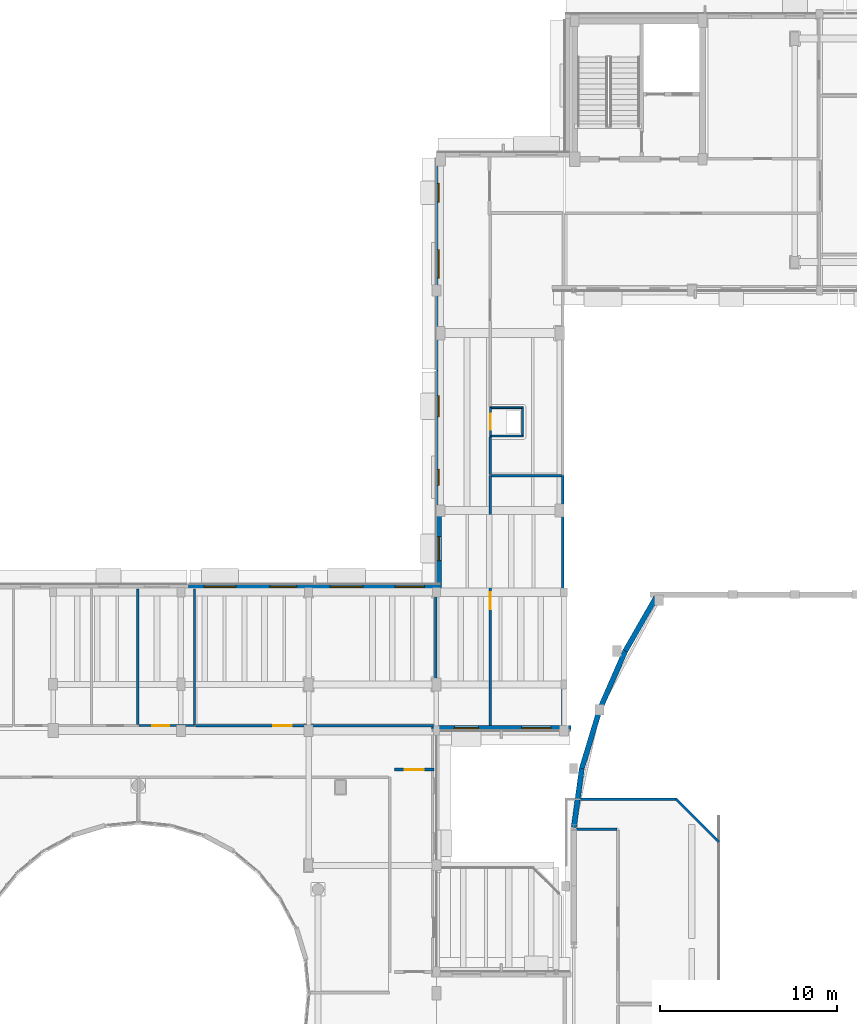
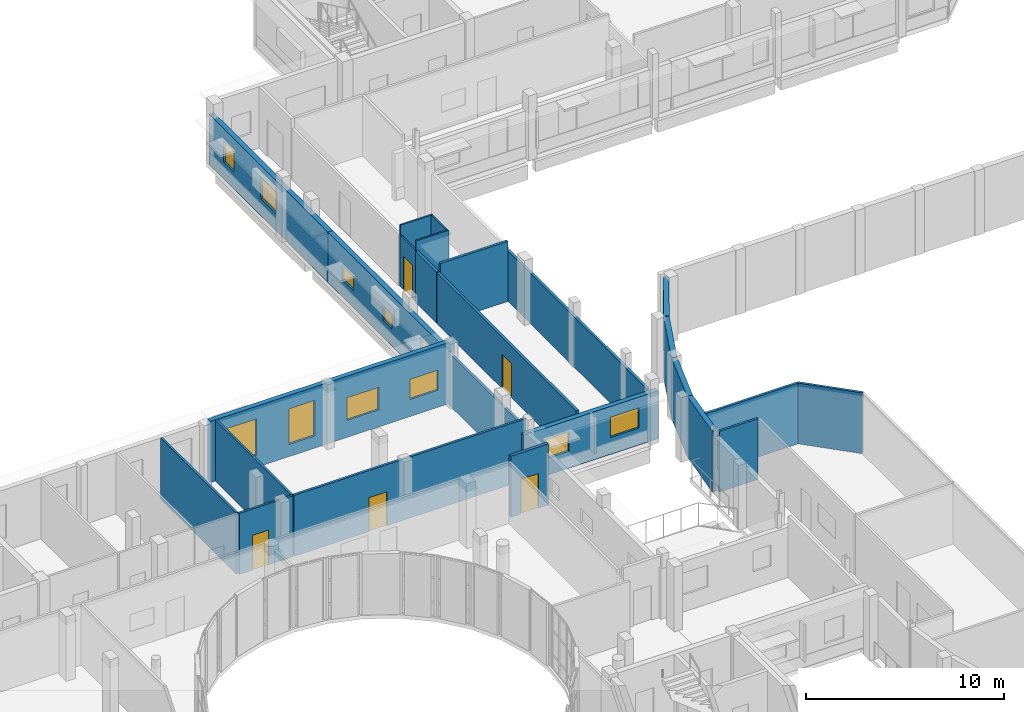
# One storey, part 73 of 92: 25 walls, 11 windows, 5 doors, 16 openings.
"""IFC4 building model written with IfcOpenShell, lengths in metres."""

from ifc_helpers import new_model, si_unit, direction, frame, frame_2d, origin, place, context, subcontext, project, spatial, rectangle, extrude, material, layer, layer_set, type_object, element, fill, save


model = new_model("IFC4")

# Units and contexts
model_context = context("Model", 3, precision=1e-05, world=origin(), true_north=direction((0.0, 1.0)))
body_context = subcontext(model_context, "Body", "Model", "MODEL_VIEW")
ifc_project = project(units=[si_unit("LENGTHUNIT", "METRE"), si_unit("AREAUNIT", "SQUARE_METRE"), si_unit("VOLUMEUNIT", "CUBIC_METRE"), si_unit("PLANEANGLEUNIT", "RADIAN"), si_unit("MASSUNIT", "GRAM", prefix="KILO")], contexts=[model_context])

# Site, building, storey
site_placement = place(None, origin())
site = spatial("IfcSite", under=ifc_project, at=site_placement, CompositionType="ELEMENT")
building_placement = place(site_placement, origin())
building = spatial("IfcBuilding", under=site, at=building_placement, Name="Kelanivale Promenade Academy", CompositionType="ELEMENT")
storey_placement = place(building_placement, frame((0.0, 0.0, 8.199951171875)))
storey = spatial("IfcBuildingStorey", under=building, at=storey_placement, Name="L02", CompositionType="ELEMENT", Elevation=8.199951171875)

# Walls
ifc_material_1 = material(Name="Insulated terracotta-clad masonry wall 300 mm", Category="masonry")
ifc_layer_1 = layer(ifc_material_1, 0.300048828125)
ifc_layer_set_1 = layer_set([ifc_layer_1], Name="Insulated terracotta-clad masonry wall 300 mm")
wall_type_1 = type_object("IfcWallType", Name="EW-01 Wall 300mm", PredefinedType="SOLIDWALL", material=ifc_layer_set_1)
wall_1_placement = place(storey_placement, frame((123.800048828125, 69.45703125, 0.0), z_axis=(0.0, 0.0, 1.0), x_axis=(-0.134539839792, -0.990908185206, 0.0)))
element("IfcWall", 1, at=wall_1_placement, inside=storey, type_object=wall_type_1, Name="Assembly Hall Arc Pavilion inner crescent wall L02", PredefinedType="SOLIDWALL", context=body_context, shape_type="SweptSolid", body=[
    extrude(rectangle(XDim=3.344482421875, YDim=0.300048828125, at=frame_2d((1.67236328125, 0.0))), origin(), (0.0, 0.0, 1.0), 3.7451171875),
])
wall_2_placement = place(storey_placement, frame((124.800048828125, 72.77099609375, 0.0), z_axis=(0.0, 0.0, 1.0), x_axis=(-0.288887509039, -0.957363048755, 0.0)))
element("IfcWall", 2, at=wall_2_placement, inside=storey, type_object=wall_type_1, Name="Assembly Hall Arc Pavilion inner crescent wall L02", PredefinedType="SOLIDWALL", context=body_context, shape_type="SweptSolid", body=[
    extrude(rectangle(XDim=3.461669921875, YDim=0.300048828125, at=frame_2d((1.73095703125, 0.0))), origin(), (0.0, 0.0, 1.0), 3.7451171875),
])
wall_3_placement = place(storey_placement, frame((126.25, 76.0859375, 0.0), z_axis=(0.0, 0.0, 1.0), x_axis=(-0.400740958437, -0.916191401526, 0.0)))
element("IfcWall", 3, at=wall_3_placement, inside=storey, type_object=wall_type_1, Name="Assembly Hall Arc Pavilion inner crescent wall L02", PredefinedType="SOLIDWALL", context=body_context, shape_type="SweptSolid", body=[
    extrude(rectangle(XDim=3.6181640625, YDim=0.300048828125, at=frame_2d((1.80908203125, 0.0))), origin(), (0.0, 0.0, 1.0), 3.7451171875),
])
wall_4_placement = place(storey_placement, frame((127.98095703125, 79.10498046875, 0.0), z_axis=(0.0, 0.0, 1.0), x_axis=(-0.497392560198, -0.867525585248, 0.0)))
element("IfcWall", 4, at=wall_4_placement, inside=storey, type_object=wall_type_1, Name="Assembly Hall Arc Pavilion inner crescent wall L02", PredefinedType="SOLIDWALL", context=body_context, shape_type="SweptSolid", body=[
    extrude(rectangle(XDim=3.47998046875, YDim=0.300048828125, at=frame_2d((1.739990234375, 0.0))), origin(), (0.0, 0.0, 1.0), 3.780029296875),
])

# Wall, openings, windows
ifc_material_2 = material(Name="Insulated ivory stucco masonry wall 280 mm", Category="masonry")
ifc_layer_2 = layer(ifc_material_2, 0.280029296875)
ifc_layer_set_2 = layer_set([ifc_layer_2], Name="Insulated ivory stucco masonry wall 280 mm")
wall_type_2 = type_object("IfcWallType", Name="EW-02 Wall 280mm", PredefinedType="SOLIDWALL", material=ifc_layer_set_2)
wall_5_placement = place(storey_placement, frame((115.320068359375, 71.739990234375, 0.0), z_axis=(0.0, 0.0, 1.0), x_axis=(1.0, 0.0, 0.0)))
wall_5 = element("IfcWall", 5, at=wall_5_placement, inside=storey, type_object=wall_type_2, Name="L02 exterior facade wall EW-L02-ORT-0421", PredefinedType="SOLIDWALL", context=body_context, shape_type="SweptSolid", body=[
    extrude(rectangle(XDim=7.8798828125, YDim=0.280029296875, at=frame_2d((3.93994140625, 0.0))), origin(), (0.0, 0.0, 1.0), 2.965087890625),
])
opening_1_placement = place(wall_5_placement, frame((1.294921875, 0.0, 1.050048828125)))
opening_1 = element("IfcOpeningElement", 6, at=opening_1_placement, cuts=wall_5, Name="Opening WT-34", PredefinedType="OPENING", context=body_context, shape_type="SweptSolid", body=[
    extrude(rectangle(XDim=1.35009765625, YDim=1.199951171875, at=frame_2d((0.675048828125, 0.60009765625))), frame((0.0, 0.14990234375, 0.0), z_axis=(0.0, -1.0, 0.0), x_axis=(1.0, 0.0, 0.0)), (0.0, 0.0, 1.0), 0.300048828125),
])
opening_2_placement = place(wall_5_placement, frame((5.0849609375, 0.0, 1.050048828125)))
opening_2 = element("IfcOpeningElement", 7, at=opening_2_placement, cuts=wall_5, Name="Opening WT-35", PredefinedType="OPENING", context=body_context, shape_type="SweptSolid", body=[
    extrude(rectangle(XDim=1.64990234375, YDim=1.25, at=frame_2d((0.824951171875, 0.625))), frame((0.0, 0.14990234375, 0.0), z_axis=(0.0, -1.0, 0.0), x_axis=(1.0, 0.0, 0.0)), (0.0, 0.0, 1.0), 0.300048828125),
])
ifc_material_3 = material(Name="Bronze anodised aluminium frame with low-E laminated glass", Category="aluminium")
window_type_1 = type_object("IfcWindowType", Name="WT-34 Window 1350x1200", PartitioningType="SINGLE_PANEL", PredefinedType="WINDOW", material=ifc_material_3)
window_1_placement = place(opening_1_placement, origin())
window_1 = element("IfcWindow", 8, at=window_1_placement, inside=storey, type_object=window_type_1, Name="Window WT-34", OverallHeight=1.199951171875, OverallWidth=1.35009765625, PartitioningType="SINGLE_PANEL", PredefinedType="WINDOW", context=body_context, shape_type="SweptSolid", body=[
    extrude(rectangle(XDim=1.35009765625, YDim=1.199951171875, at=frame_2d((0.675048828125, 0.60009765625))), frame((0.0, 0.030029296875, 0.0), z_axis=(0.0, -1.0, 0.0), x_axis=(1.0, 0.0, 0.0)), (0.0, 0.0, 1.0), 0.06005859375),
])
fill(opening_1, window_1)
window_type_2 = type_object("IfcWindowType", Name="WT-35 Window 1650x1250", PartitioningType="SINGLE_PANEL", PredefinedType="WINDOW", material=ifc_material_3)
window_2_placement = place(opening_2_placement, origin())
window_2 = element("IfcWindow", 9, at=window_2_placement, inside=storey, type_object=window_type_2, Name="Window WT-35", OverallHeight=1.25, OverallWidth=1.64990234375, PartitioningType="SINGLE_PANEL", PredefinedType="WINDOW", context=body_context, shape_type="SweptSolid", body=[
    extrude(rectangle(XDim=1.64990234375, YDim=1.25, at=frame_2d((0.824951171875, 0.625))), frame((0.0, 0.030029296875, 0.0), z_axis=(0.0, -1.0, 0.0), x_axis=(1.0, 0.0, 0.0)), (0.0, 0.0, 1.0), 0.06005859375),
])
fill(opening_2, window_2)

wall_6_placement = place(storey_placement, frame((115.739990234375, 103.919921875, 0.0), z_axis=(0.0, 0.0, 1.0), x_axis=(0.0, -1.0, 0.0)))
wall_6 = element("IfcWall", 10, at=wall_6_placement, inside=storey, type_object=wall_type_2, Name="L02 exterior facade wall EW-L02-ORT-0431", PredefinedType="SOLIDWALL", context=body_context, shape_type="SweptSolid", body=[
    extrude(rectangle(XDim=12.034912109375, YDim=0.280029296875, at=frame_2d((6.017578125, 0.0))), origin(), (0.0, 0.0, 1.0), 3.114990234375),
])
opening_3_placement = place(wall_6_placement, frame((1.48095703125, 0.0, 1.050048828125)))
opening_3 = element("IfcOpeningElement", 11, at=opening_3_placement, cuts=wall_6, Name="Opening WT-30", PredefinedType="OPENING", context=body_context, shape_type="SweptSolid", body=[
    extrude(rectangle(XDim=1.050048828125, YDim=1.300048828125, at=frame_2d((0.52490234375, 0.64990234375))), frame((0.0, 0.14990234375, 0.0), z_axis=(0.0, -1.0, 0.0), x_axis=(1.0, 0.0, 0.0)), (0.0, 0.0, 1.0), 0.300048828125),
])
opening_4_placement = place(wall_6_placement, frame((5.217041015625, 0.0, 1.050048828125)))
opening_4 = element("IfcOpeningElement", 12, at=opening_4_placement, cuts=wall_6, Name="Opening WT-07", PredefinedType="OPENING", context=body_context, shape_type="SweptSolid", body=[
    extrude(rectangle(XDim=1.60009765625, YDim=1.35009765625, at=frame_2d((0.800048828125, 0.675048828125))), frame((0.0, 0.14990234375, 0.0), z_axis=(0.0, -1.0, 0.0), x_axis=(1.0, 0.0, 0.0)), (0.0, 0.0, 1.0), 0.300048828125),
])
window_type_3 = type_object("IfcWindowType", Name="WT-07 Window 1600x1350", PartitioningType="SINGLE_PANEL", PredefinedType="WINDOW", material=ifc_material_3)
window_3_placement = place(opening_4_placement, origin())
window_3 = element("IfcWindow", 13, at=window_3_placement, inside=storey, type_object=window_type_3, Name="Window WT-07", OverallHeight=1.35009765625, OverallWidth=1.60009765625, PartitioningType="SINGLE_PANEL", PredefinedType="WINDOW", context=body_context, shape_type="SweptSolid", body=[
    extrude(rectangle(XDim=1.60009765625, YDim=1.35009765625, at=frame_2d((0.800048828125, 0.675048828125))), frame((0.0, 0.030029296875, 0.0), z_axis=(0.0, -1.0, 0.0), x_axis=(1.0, 0.0, 0.0)), (0.0, 0.0, 1.0), 0.06005859375),
])
fill(opening_4, window_3)
window_type_4 = type_object("IfcWindowType", Name="WT-30 Window 1050x1300", PartitioningType="SINGLE_PANEL", PredefinedType="WINDOW", material=ifc_material_3)
window_4_placement = place(opening_3_placement, origin())
window_4 = element("IfcWindow", 14, at=window_4_placement, inside=storey, type_object=window_type_4, Name="Window WT-30", OverallHeight=1.300048828125, OverallWidth=1.050048828125, PartitioningType="SINGLE_PANEL", PredefinedType="WINDOW", context=body_context, shape_type="SweptSolid", body=[
    extrude(rectangle(XDim=1.050048828125, YDim=1.300048828125, at=frame_2d((0.52490234375, 0.64990234375))), frame((0.0, 0.030029296875, 0.0), z_axis=(0.0, -1.0, 0.0), x_axis=(1.0, 0.0, 0.0)), (0.0, 0.0, 1.0), 0.06005859375),
])
fill(opening_3, window_4)

wall_7_placement = place(storey_placement, frame((115.739990234375, 91.885009765625, 0.0), z_axis=(0.0, 0.0, 1.0), x_axis=(0.0, -1.0, 0.0)))
wall_7 = element("IfcWall", 15, at=wall_7_placement, inside=storey, type_object=wall_type_2, Name="L02 exterior facade wall EW-L02-ORT-0432", PredefinedType="SOLIDWALL", context=body_context, shape_type="SweptSolid", body=[
    extrude(rectangle(XDim=12.034912109375, YDim=0.280029296875, at=frame_2d((6.017578125, 0.0))), origin(), (0.0, 0.0, 1.0), 3.114990234375),
])
opening_5_placement = place(wall_7_placement, frame((1.406005859375, 0.0, 1.050048828125)))
opening_5 = element("IfcOpeningElement", 16, at=opening_5_placement, cuts=wall_7, Name="Opening WT-09", PredefinedType="OPENING", context=body_context, shape_type="SweptSolid", body=[
    extrude(rectangle(XDim=1.199951171875, YDim=0.89990234375, at=frame_2d((0.60009765625, 0.449951171875))), frame((0.0, 0.14990234375, 0.0), z_axis=(0.0, -1.0, 0.0), x_axis=(1.0, 0.0, 0.0)), (0.0, 0.0, 1.0), 0.300048828125),
])
opening_6_placement = place(wall_7_placement, frame((5.568115234375, 0.0, 1.050048828125)))
opening_6 = element("IfcOpeningElement", 17, at=opening_6_placement, cuts=wall_7, Name="Opening WT-10", PredefinedType="OPENING", context=body_context, shape_type="SweptSolid", body=[
    extrude(rectangle(XDim=0.89990234375, YDim=0.89990234375, at=frame_2d((0.449951171875, 0.449951171875))), frame((0.0, 0.14990234375, 0.0), z_axis=(0.0, -1.0, 0.0), x_axis=(1.0, 0.0, 0.0)), (0.0, 0.0, 1.0), 0.300048828125),
])
opening_7_placement = place(wall_7_placement, frame((9.35400390625, 0.0, 1.050048828125)))
opening_7 = element("IfcOpeningElement", 18, at=opening_7_placement, cuts=wall_7, Name="Opening WT-34", PredefinedType="OPENING", context=body_context, shape_type="SweptSolid", body=[
    extrude(rectangle(XDim=1.35009765625, YDim=1.199951171875, at=frame_2d((0.675048828125, 0.60009765625))), frame((0.0, 0.14990234375, 0.0), z_axis=(0.0, -1.0, 0.0), x_axis=(1.0, 0.0, 0.0)), (0.0, 0.0, 1.0), 0.300048828125),
])
window_type_5 = type_object("IfcWindowType", Name="WT-09 Window 1200x900", PartitioningType="SINGLE_PANEL", PredefinedType="WINDOW", material=ifc_material_3)
window_5_placement = place(opening_5_placement, origin())
window_5 = element("IfcWindow", 19, at=window_5_placement, inside=storey, type_object=window_type_5, Name="Window WT-09", OverallHeight=0.89990234375, OverallWidth=1.199951171875, PartitioningType="SINGLE_PANEL", PredefinedType="WINDOW", context=body_context, shape_type="SweptSolid", body=[
    extrude(rectangle(XDim=1.199951171875, YDim=0.89990234375, at=frame_2d((0.60009765625, 0.449951171875))), frame((0.0, 0.030029296875, 0.0), z_axis=(0.0, -1.0, 0.0), x_axis=(1.0, 0.0, 0.0)), (0.0, 0.0, 1.0), 0.06005859375),
])
fill(opening_5, window_5)
window_type_6 = type_object("IfcWindowType", Name="WT-10 Window 900x900", PartitioningType="SINGLE_PANEL", PredefinedType="WINDOW", material=ifc_material_3)
window_6_placement = place(opening_6_placement, origin())
window_6 = element("IfcWindow", 20, at=window_6_placement, inside=storey, type_object=window_type_6, Name="Window WT-10", OverallHeight=0.89990234375, OverallWidth=0.89990234375, PartitioningType="SINGLE_PANEL", PredefinedType="WINDOW", context=body_context, shape_type="SweptSolid", body=[
    extrude(rectangle(XDim=0.89990234375, YDim=0.89990234375, at=frame_2d((0.449951171875, 0.449951171875))), frame((0.0, 0.030029296875, 0.0), z_axis=(0.0, -1.0, 0.0), x_axis=(1.0, 0.0, 0.0)), (0.0, 0.0, 1.0), 0.06005859375),
])
fill(opening_6, window_6)
window_7_placement = place(opening_7_placement, origin())
window_7 = element("IfcWindow", 21, at=window_7_placement, inside=storey, type_object=window_type_1, Name="Window WT-34", OverallHeight=1.199951171875, OverallWidth=1.35009765625, PartitioningType="SINGLE_PANEL", PredefinedType="WINDOW", context=body_context, shape_type="SweptSolid", body=[
    extrude(rectangle(XDim=1.35009765625, YDim=1.199951171875, at=frame_2d((0.675048828125, 0.60009765625))), frame((0.0, 0.030029296875, 0.0), z_axis=(0.0, -1.0, 0.0), x_axis=(1.0, 0.0, 0.0)), (0.0, 0.0, 1.0), 0.06005859375),
])
fill(opening_7, window_7)

wall_8_placement = place(storey_placement, frame((115.8798828125, 79.7099609375, 0.0), z_axis=(0.0, 0.0, 1.0), x_axis=(-1.0, 0.0, 0.0)))
wall_8 = element("IfcWall", 22, at=wall_8_placement, inside=storey, type_object=wall_type_2, Name="L02 exterior facade wall EW-L02-ORT-0433", PredefinedType="SOLIDWALL", context=body_context, shape_type="SweptSolid", body=[
    extrude(rectangle(XDim=14.2568359375, YDim=0.280029296875, at=frame_2d((7.12841796875, 0.0))), origin(), (0.0, 0.0, 1.0), 3.780029296875),
])
opening_8_placement = place(wall_8_placement, frame((0.95703125, 0.0, 1.050048828125)))
opening_8 = element("IfcOpeningElement", 23, at=opening_8_placement, cuts=wall_8, Name="Opening WT-35", PredefinedType="OPENING", context=body_context, shape_type="SweptSolid", body=[
    extrude(rectangle(XDim=1.64990234375, YDim=1.25, at=frame_2d((0.824951171875, 0.625))), frame((0.0, 0.14990234375, 0.0), z_axis=(0.0, -1.0, 0.0), x_axis=(1.0, 0.0, 0.0)), (0.0, 0.0, 1.0), 0.300048828125),
])
opening_9_placement = place(wall_8_placement, frame((4.4208984375, 0.0, 1.050048828125)))
opening_9 = element("IfcOpeningElement", 24, at=opening_9_placement, cuts=wall_8, Name="Opening WT-36", PredefinedType="OPENING", context=body_context, shape_type="SweptSolid", body=[
    extrude(rectangle(XDim=1.85009765625, YDim=1.39990234375, at=frame_2d((0.925048828125, 0.699951171875))), frame((0.0, 0.14990234375, 0.0), z_axis=(0.0, -1.0, 0.0), x_axis=(1.0, 0.0, 0.0)), (0.0, 0.0, 1.0), 0.300048828125),
])
opening_10_placement = place(wall_8_placement, frame((8.160888671875, 0.0, 0.75)))
opening_10 = element("IfcOpeningElement", 25, at=opening_10_placement, cuts=wall_8, Name="Opening WT-11", PredefinedType="OPENING", context=body_context, shape_type="SweptSolid", body=[
    extrude(rectangle(XDim=1.5, YDim=2.199951171875, at=frame_2d((0.75, 1.10009765625))), frame((0.0, 0.14990234375, 0.0), z_axis=(0.0, -1.0, 0.0), x_axis=(1.0, 0.0, 0.0)), (0.0, 0.0, 1.0), 0.300048828125),
])
opening_11_placement = place(wall_8_placement, frame((11.574951171875, 0.0, 0.75)))
opening_11 = element("IfcOpeningElement", 26, at=opening_11_placement, cuts=wall_8, Name="Opening WT-12", PredefinedType="OPENING", context=body_context, shape_type="SweptSolid", body=[
    extrude(rectangle(XDim=1.800048828125, YDim=2.25, at=frame_2d((0.89990234375, 1.125))), frame((0.0, 0.14990234375, 0.0), z_axis=(0.0, -1.0, 0.0), x_axis=(1.0, 0.0, 0.0)), (0.0, 0.0, 1.0), 0.300048828125),
])
window_type_7 = type_object("IfcWindowType", Name="WT-11 Window 1500x2200", PartitioningType="SINGLE_PANEL", PredefinedType="WINDOW", material=ifc_material_3)
window_8_placement = place(opening_10_placement, origin())
window_8 = element("IfcWindow", 27, at=window_8_placement, inside=storey, type_object=window_type_7, Name="Window WT-11", OverallHeight=2.199951171875, OverallWidth=1.5, PartitioningType="SINGLE_PANEL", PredefinedType="WINDOW", context=body_context, shape_type="SweptSolid", body=[
    extrude(rectangle(XDim=1.5, YDim=2.199951171875, at=frame_2d((0.75, 1.10009765625))), frame((0.0, 0.030029296875, 0.0), z_axis=(0.0, -1.0, 0.0), x_axis=(1.0, 0.0, 0.0)), (0.0, 0.0, 1.0), 0.06005859375),
])
fill(opening_10, window_8)
window_type_8 = type_object("IfcWindowType", Name="WT-12 Window 1800x2250", PartitioningType="SINGLE_PANEL", PredefinedType="WINDOW", material=ifc_material_3)
window_9_placement = place(opening_11_placement, origin())
window_9 = element("IfcWindow", 28, at=window_9_placement, inside=storey, type_object=window_type_8, Name="Window WT-12", OverallHeight=2.25, OverallWidth=1.800048828125, PartitioningType="SINGLE_PANEL", PredefinedType="WINDOW", context=body_context, shape_type="SweptSolid", body=[
    extrude(rectangle(XDim=1.800048828125, YDim=2.25, at=frame_2d((0.89990234375, 1.125))), frame((0.0, 0.030029296875, 0.0), z_axis=(0.0, -1.0, 0.0), x_axis=(1.0, 0.0, 0.0)), (0.0, 0.0, 1.0), 0.06005859375),
])
fill(opening_11, window_9)
window_10_placement = place(opening_8_placement, origin())
window_10 = element("IfcWindow", 29, at=window_10_placement, inside=storey, type_object=window_type_2, Name="Window WT-35", OverallHeight=1.25, OverallWidth=1.64990234375, PartitioningType="SINGLE_PANEL", PredefinedType="WINDOW", context=body_context, shape_type="SweptSolid", body=[
    extrude(rectangle(XDim=1.64990234375, YDim=1.25, at=frame_2d((0.824951171875, 0.625))), frame((0.0, 0.030029296875, 0.0), z_axis=(0.0, -1.0, 0.0), x_axis=(1.0, 0.0, 0.0)), (0.0, 0.0, 1.0), 0.06005859375),
])
fill(opening_8, window_10)
window_type_9 = type_object("IfcWindowType", Name="WT-36 Window 1850x1400", PartitioningType="SINGLE_PANEL", PredefinedType="WINDOW", material=ifc_material_3)
window_11_placement = place(opening_9_placement, origin())
window_11 = element("IfcWindow", 30, at=window_11_placement, inside=storey, type_object=window_type_9, Name="Window WT-36", OverallHeight=1.39990234375, OverallWidth=1.85009765625, PartitioningType="SINGLE_PANEL", PredefinedType="WINDOW", context=body_context, shape_type="SweptSolid", body=[
    extrude(rectangle(XDim=1.85009765625, YDim=1.39990234375, at=frame_2d((0.925048828125, 0.699951171875))), frame((0.0, 0.030029296875, 0.0), z_axis=(0.0, -1.0, 0.0), x_axis=(1.0, 0.0, 0.0)), (0.0, 0.0, 1.0), 0.06005859375),
])
fill(opening_9, window_11)

# Wall, opening, door
ifc_material_4 = material(Name="Autoclaved masonry blockwork 180 mm", Category="masonry")
ifc_layer_3 = layer(ifc_material_4, 0.179931640625)
ifc_layer_set_3 = layer_set([ifc_layer_3], Name="Autoclaved masonry blockwork 180 mm")
wall_type_3 = type_object("IfcWallType", Name="IW-02 Wall 180mm", PredefinedType="PARTITIONING", material=ifc_layer_set_3)
wall_9_placement = place(storey_placement, frame((113.25, 69.39990234375, 0.0), z_axis=(0.0, 0.0, 1.0), x_axis=(1.0, 0.0, 0.0)))
wall_9 = element("IfcWall", 31, at=wall_9_placement, inside=storey, type_object=wall_type_3, Name="L02 cross-corridor fire wall", PredefinedType="PARTITIONING", context=body_context, shape_type="SweptSolid", body=[
    extrude(rectangle(XDim=2.208984375, YDim=0.179931640625, at=frame_2d((1.1044921875, 0.0))), origin(), (0.0, 0.0, 1.0), 3.780029296875),
])
opening_12_placement = place(wall_9_placement, frame((0.580078125, 0.0, 0.0)))
opening_12 = element("IfcOpeningElement", 32, at=opening_12_placement, cuts=wall_9, Name="Opening FD-L02-CC-109", PredefinedType="OPENING", context=body_context, shape_type="SweptSolid", body=[
    extrude(rectangle(XDim=1.050048828125, YDim=2.14990234375, at=frame_2d((0.52490234375, 1.074951171875))), frame((0.0, 0.10009765625, 0.0), z_axis=(0.0, -1.0, 0.0), x_axis=(1.0, 0.0, 0.0)), (0.0, 0.0, 1.0), 0.199951171875),
])
ifc_material_5 = material(Name="Fire-rated steel-core teak veneer", Category="steel")
door_type_1 = type_object("IfcDoorType", Name="DT-F03 Door 1050x2150", OperationType="NOTDEFINED", PredefinedType="DOOR", material=ifc_material_5)
door_1_placement = place(opening_12_placement, origin())
door_1 = element("IfcDoor", 33, at=door_1_placement, inside=storey, type_object=door_type_1, Name="L02 cross-corridor fire door FD-L02-CC-109", OperationType="SINGLE_SWING_LEFT", OverallHeight=2.14990234375, OverallWidth=1.050048828125, PredefinedType="DOOR", context=body_context, shape_type="SweptSolid", body=[
    extrude(rectangle(XDim=1.050048828125, YDim=2.14990234375, at=frame_2d((0.52490234375, 1.074951171875))), frame((0.0, 0.02490234375, 0.0), z_axis=(0.0, -1.0, 0.0), x_axis=(1.0, 0.0, 0.0)), (0.0, 0.0, 1.0), 0.050048828125),
])
fill(opening_12, door_1)

ifc_material_6 = material(Name="Acoustic gypsum-lined masonry partition 150 mm", Category="masonry")
ifc_layer_4 = layer(ifc_material_6, 0.14990234375)
ifc_layer_set_4 = layer_set([ifc_layer_4], Name="Acoustic gypsum-lined masonry partition 150 mm")
wall_type_4 = type_object("IfcWallType", Name="IW-03 Wall 150mm", PredefinedType="PARTITIONING", material=ifc_layer_set_4)
wall_10_placement = place(storey_placement, frame((118.6298828125, 85.969970703125, 0.0), z_axis=(0.0, 0.0, 1.0), x_axis=(0.0, -1.0, 0.0)))
wall_10 = element("IfcWall", 34, at=wall_10_placement, inside=storey, type_object=wall_type_4, Name="L02 partition Specimen Prep Room", PredefinedType="PARTITIONING", context=body_context, shape_type="SweptSolid", body=[
    extrude(rectangle(XDim=14.092041015625, YDim=0.14990234375, at=frame_2d((7.0458984375, 0.0))), origin(), (0.0, 0.0, 1.0), 3.1650390625),
])
opening_13_placement = place(wall_10_placement, frame((6.571044921875, 0.0, 0.0)))
opening_13 = element("IfcOpeningElement", 35, at=opening_13_placement, cuts=wall_10, Name="Opening ID-L02-137", PredefinedType="OPENING", context=body_context, shape_type="SweptSolid", body=[
    extrude(rectangle(XDim=0.949951171875, YDim=2.10009765625, at=frame_2d((0.47509765625, 1.050048828125))), frame((0.0, 0.0849609375, 0.0), z_axis=(0.0, -1.0, 0.0), x_axis=(1.0, 0.0, 0.0)), (0.0, 0.0, 1.0), 0.169921875),
])
door_type_2 = type_object("IfcDoorType", Name="DT-F07 Door 950x2100", OperationType="NOTDEFINED", PredefinedType="DOOR", material=ifc_material_5)
door_2_placement = place(opening_13_placement, origin())
door_2 = element("IfcDoor", 36, at=door_2_placement, inside=storey, type_object=door_type_2, Name="Specimen Prep Room door ID-L02-137", OperationType="SINGLE_SWING_RIGHT", OverallHeight=2.10009765625, OverallWidth=0.949951171875, PredefinedType="DOOR", context=body_context, shape_type="SweptSolid", body=[
    extrude(rectangle(XDim=0.949951171875, YDim=2.10009765625, at=frame_2d((0.47509765625, 1.050048828125))), frame((0.0, 0.02490234375, 0.0), z_axis=(0.0, -1.0, 0.0), x_axis=(1.0, 0.0, 0.0)), (0.0, 0.0, 1.0), 0.050048828125),
])
fill(opening_13, door_2)

# Walls
wall_11_placement = place(storey_placement, frame((122.72998046875, 71.8779296875, 0.0), z_axis=(0.0, 0.0, 1.0), x_axis=(0.0, 1.0, 0.0)))
element("IfcWall", 37, at=wall_11_placement, inside=storey, type_object=wall_type_4, Name="L02 partition Specimen Prep Room", PredefinedType="PARTITIONING", context=body_context, shape_type="SweptSolid", body=[
    extrude(rectangle(XDim=14.092041015625, YDim=0.14990234375, at=frame_2d((7.0458984375, 0.0))), origin(), (0.0, 0.0, 1.0), 3.114990234375),
])
wall_12_placement = place(storey_placement, frame((122.656982421875, 85.969970703125, 0.0), z_axis=(0.0, 0.0, 1.0), x_axis=(-1.0, 0.0, 0.0)))
element("IfcWall", 38, at=wall_12_placement, inside=storey, type_object=wall_type_4, Name="L02 partition Specimen Prep Room", PredefinedType="PARTITIONING", context=body_context, shape_type="SweptSolid", body=[
    extrude(rectangle(XDim=3.9541015625, YDim=0.14990234375, at=frame_2d((1.97705078125, 0.0))), origin(), (0.0, 0.0, 1.0), 3.715087890625),
])
wall_13_placement = place(storey_placement, frame((118.6298828125, 88.152099609375, 0.0), z_axis=(0.0, 0.0, 1.0), x_axis=(0.0, -1.0, 0.0)))
element("IfcWall", 39, at=wall_13_placement, inside=storey, type_object=wall_type_4, Name="L02 partition Laboratory Instrument Studio", PredefinedType="PARTITIONING", context=body_context, shape_type="SweptSolid", body=[
    extrude(rectangle(XDim=2.1220703125, YDim=0.14990234375, at=frame_2d((1.06103515625, 0.0))), origin(), (0.0, 0.0, 1.0), 3.1650390625),
])
ifc_material_7 = material(Name="Acoustic double-stud gypsum board partition 140 mm", Category="masonry")
ifc_layer_5 = layer(ifc_material_7, 0.139892578125)
ifc_layer_set_5 = layer_set([ifc_layer_5], Name="Acoustic double-stud gypsum board partition 140 mm")
wall_type_5 = type_object("IfcWallType", Name="IW-04 Wall 140mm", PredefinedType="PARTITIONING", material=ifc_layer_set_5)
wall_14_placement = place(storey_placement, frame((131.530029296875, 65.321044921875, 0.0), z_axis=(0.0, 0.0, 1.0), x_axis=(-0.707106781187, 0.707106781187, 0.0)))
element("IfcWall", 40, at=wall_14_placement, inside=storey, type_object=wall_type_5, Name="L02 partition Audiovisual Projection Studio", PredefinedType="PARTITIONING", context=body_context, shape_type="SweptSolid", body=[
    extrude(rectangle(XDim=3.40673828125, YDim=0.139892578125, at=frame_2d((1.703369140625, 0.0))), origin(), (0.0, 0.0, 1.0), 3.755126953125),
])
wall_15_placement = place(storey_placement, frame((129.123046875, 67.72998046875, 0.0), z_axis=(0.0, 0.0, 1.0), x_axis=(-1.0, 0.0, 0.0)))
element("IfcWall", 41, at=wall_15_placement, inside=storey, type_object=wall_type_5, Name="L02 partition Audiovisual Projection Studio", PredefinedType="PARTITIONING", context=body_context, shape_type="SweptSolid", body=[
    extrude(rectangle(XDim=5.445068359375, YDim=0.139892578125, at=frame_2d((2.72265625, 0.0))), origin(), (0.0, 0.0, 1.0), 3.755126953125),
])
wall_16_placement = place(storey_placement, frame((123.498046875, 66.030029296875, 0.0), z_axis=(0.0, 0.0, 1.0), x_axis=(1.0, 0.0, 0.0)))
element("IfcWall", 42, at=wall_16_placement, inside=storey, type_object=wall_type_5, Name="L02 partition Audiovisual Projection Studio", PredefinedType="PARTITIONING", context=body_context, shape_type="SweptSolid", body=[
    extrude(rectangle(XDim=2.27197265625, YDim=0.139892578125, at=frame_2d((1.135986328125, 0.0))), origin(), (0.0, 0.0, 1.0), 3.755126953125),
])

# Wall, opening, door
wall_17_placement = place(storey_placement, frame((102.030029296875, 71.8798828125, 0.0), z_axis=(0.0, 0.0, 1.0), x_axis=(1.0, 0.0, 0.0)))
wall_17 = element("IfcWall", 43, at=wall_17_placement, inside=storey, type_object=wall_type_5, Name="L02 partition Secondary Classroom North East", PredefinedType="PARTITIONING", context=body_context, shape_type="SweptSolid", body=[
    extrude(rectangle(XDim=13.5400390625, YDim=0.139892578125, at=frame_2d((6.77001953125, 0.0))), origin(), (0.0, 0.0, 1.0), 3.775146484375),
])
opening_14_placement = place(wall_17_placement, frame((4.37109375, 0.0, 0.0)))
opening_14 = element("IfcOpeningElement", 44, at=opening_14_placement, cuts=wall_17, Name="Opening ID-L02-132", PredefinedType="OPENING", context=body_context, shape_type="SweptSolid", body=[
    extrude(rectangle(XDim=1.050048828125, YDim=2.10009765625, at=frame_2d((0.52490234375, 1.050048828125))), frame((0.0, 0.080078125, 0.0), z_axis=(0.0, -1.0, 0.0), x_axis=(1.0, 0.0, 0.0)), (0.0, 0.0, 1.0), 0.159912109375),
])
ifc_material_8 = material(Name="Solid-core tropical teak timber", Category="wood")
door_type_3 = type_object("IfcDoorType", Name="DT-I02 Door 1050x2100", OperationType="NOTDEFINED", PredefinedType="DOOR", material=ifc_material_8)
door_3_placement = place(opening_14_placement, origin())
door_3 = element("IfcDoor", 45, at=door_3_placement, inside=storey, type_object=door_type_3, Name="Secondary Classroom North East door ID-L02-132", OperationType="SINGLE_SWING_LEFT", OverallHeight=2.10009765625, OverallWidth=1.050048828125, PredefinedType="DOOR", context=body_context, shape_type="SweptSolid", body=[
    extrude(rectangle(XDim=1.050048828125, YDim=2.10009765625, at=frame_2d((0.52490234375, 1.050048828125))), frame((0.0, 0.02490234375, 0.0), z_axis=(0.0, -1.0, 0.0), x_axis=(1.0, 0.0, 0.0)), (0.0, 0.0, 1.0), 0.050048828125),
])
fill(opening_14, door_3)

# Walls
wall_18_placement = place(storey_placement, frame((115.570068359375, 71.947998046875, 0.0), z_axis=(0.0, 0.0, 1.0), x_axis=(0.0, 1.0, 0.0)))
element("IfcWall", 46, at=wall_18_placement, inside=storey, type_object=wall_type_5, Name="L02 partition Secondary Classroom North East", PredefinedType="PARTITIONING", context=body_context, shape_type="SweptSolid", body=[
    extrude(rectangle(XDim=7.6240234375, YDim=0.139892578125, at=frame_2d((3.81201171875, 0.0))), origin(), (0.0, 0.0, 1.0), 3.22509765625),
])
ifc_material_9 = material(Name="Moisture-resistant masonry wet-room partition 125 mm", Category="masonry")
ifc_layer_6 = layer(ifc_material_9, 0.125)
ifc_layer_set_6 = layer_set([ifc_layer_6], Name="Moisture-resistant masonry wet-room partition 125 mm")
wall_type_6 = type_object("IfcWallType", Name="IW-05 Wall 125mm", PredefinedType="PARTITIONING", material=ifc_layer_set_6)
wall_19_placement = place(storey_placement, frame((98.77001953125, 71.94091796875, 0.0), z_axis=(0.0, 0.0, 1.0), x_axis=(0.0, 1.0, 0.0)))
element("IfcWall", 47, at=wall_19_placement, inside=storey, type_object=wall_type_6, Name="L02 partition Staff Washroom", PredefinedType="PARTITIONING", context=body_context, shape_type="SweptSolid", body=[
    extrude(rectangle(XDim=7.631103515625, YDim=0.125, at=frame_2d((3.8154296875, 0.0))), origin(), (0.0, 0.0, 1.0), 3.775146484375),
])

# Wall, opening, door
wall_20_placement = place(storey_placement, frame((98.830078125, 71.8798828125, 0.0), z_axis=(0.0, 0.0, 1.0), x_axis=(1.0, 0.0, 0.0)))
wall_20 = element("IfcWall", 48, at=wall_20_placement, inside=storey, type_object=wall_type_6, Name="L02 partition Wheelchair Accessible WC", PredefinedType="PARTITIONING", context=body_context, shape_type="SweptSolid", body=[
    extrude(rectangle(XDim=3.139892578125, YDim=0.125, at=frame_2d((1.56982421875, 0.0))), origin(), (0.0, 0.0, 1.0), 3.775146484375),
])
opening_15_placement = place(wall_20_placement, frame((0.76708984375, 0.0, 0.0)))
opening_15 = element("IfcOpeningElement", 49, at=opening_15_placement, cuts=wall_20, Name="Opening ID-L02-131", PredefinedType="OPENING", context=body_context, shape_type="SweptSolid", body=[
    extrude(rectangle(XDim=0.949951171875, YDim=2.14990234375, at=frame_2d((0.47509765625, 1.074951171875))), frame((0.0, 0.072509765625, 0.0), z_axis=(0.0, -1.0, 0.0), x_axis=(1.0, 0.0, 0.0)), (0.0, 0.0, 1.0), 0.14501953125),
])
door_type_4 = type_object("IfcDoorType", Name="DT-I05 Door 950x2150", OperationType="NOTDEFINED", PredefinedType="DOOR", material=ifc_material_8)
door_4_placement = place(opening_15_placement, frame((0.949951171875, 0.0, 0.0), z_axis=(0.0, 0.0, 1.0), x_axis=(-1.0, 0.0, 0.0)))
door_4 = element("IfcDoor", 50, at=door_4_placement, inside=storey, type_object=door_type_4, Name="Wheelchair Accessible WC door ID-L02-131", OperationType="SINGLE_SWING_RIGHT", OverallHeight=2.14990234375, OverallWidth=0.949951171875, PredefinedType="DOOR", context=body_context, shape_type="SweptSolid", body=[
    extrude(rectangle(XDim=0.949951171875, YDim=2.14990234375, at=frame_2d((0.47509765625, 1.074951171875))), frame((0.0, 0.02490234375, 0.0), z_axis=(0.0, -1.0, 0.0), x_axis=(1.0, 0.0, 0.0)), (0.0, 0.0, 1.0), 0.050048828125),
])
fill(opening_15, door_4)

# Wall
wall_21_placement = place(storey_placement, frame((101.969970703125, 71.94091796875, 0.0), z_axis=(0.0, 0.0, 1.0), x_axis=(0.0, 1.0, 0.0)))
element("IfcWall", 51, at=wall_21_placement, inside=storey, type_object=wall_type_6, Name="L02 partition Wheelchair Accessible WC", PredefinedType="PARTITIONING", context=body_context, shape_type="SweptSolid", body=[
    extrude(rectangle(XDim=7.631103515625, YDim=0.125, at=frame_2d((3.8154296875, 0.0))), origin(), (0.0, 0.0, 1.0), 3.775146484375),
])

# Wall, opening, door
ifc_material_10 = material(Name="Fire-rated service riser shaft wall 100 mm", Category="masonry")
ifc_layer_7 = layer(ifc_material_10, 0.10009765625)
ifc_layer_set_7 = layer_set([ifc_layer_7], Name="Fire-rated service riser shaft wall 100 mm")
wall_type_7 = type_object("IfcWallType", Name="IW-07 Wall 100mm", PredefinedType="PARTITIONING", material=ifc_layer_set_7)
wall_22_placement = place(storey_placement, frame((118.64990234375, 88.199951171875, 0.0), z_axis=(0.0, 0.0, 1.0), x_axis=(0.0, 1.0, 0.0)))
wall_22 = element("IfcWall", 52, at=wall_22_placement, inside=storey, type_object=wall_type_7, Name="L02 service riser west access wall", PredefinedType="PARTITIONING", context=body_context, shape_type="SweptSolid", body=[
    extrude(rectangle(XDim=1.60009765625, YDim=0.10009765625, at=frame_2d((0.800048828125, 0.0))), origin(), (0.0, 0.0, 1.0), 3.1650390625),
])
opening_16_placement = place(wall_22_placement, frame((0.35009765625, 0.0, 0.0)))
opening_16 = element("IfcOpeningElement", 53, at=opening_16_placement, cuts=wall_22, Name="Opening RD-L02-01", PredefinedType="OPENING", context=body_context, shape_type="SweptSolid", body=[
    extrude(rectangle(XDim=0.89990234375, YDim=2.050048828125, at=frame_2d((0.449951171875, 1.02490234375))), frame((0.0, 0.06005859375, 0.0), z_axis=(0.0, -1.0, 0.0), x_axis=(1.0, 0.0, 0.0)), (0.0, 0.0, 1.0), 0.1201171875),
])
door_type_5 = type_object("IfcDoorType", Name="DT-F11 Door 900x2050", OperationType="NOTDEFINED", PredefinedType="USERDEFINED", material=ifc_material_5)
door_5_placement = place(opening_16_placement, frame((0.89990234375, 0.0, 0.0), z_axis=(0.0, 0.0, 1.0), x_axis=(-1.0, 0.0, 0.0)))
door_5 = element("IfcDoor", 54, at=door_5_placement, inside=storey, type_object=door_type_5, Name="L02 service riser fire access panel RD-L02-01", ObjectType="ACCESS PANEL", OperationType="SINGLE_SWING_LEFT", OverallHeight=2.050048828125, OverallWidth=0.89990234375, PredefinedType="USERDEFINED", context=body_context, shape_type="SweptSolid", body=[
    extrude(rectangle(XDim=0.89990234375, YDim=2.050048828125, at=frame_2d((0.449951171875, 1.02490234375))), frame((0.0, 0.02490234375, 0.0), z_axis=(0.0, -1.0, 0.0), x_axis=(1.0, 0.0, 0.0)), (0.0, 0.0, 1.0), 0.050048828125),
])
fill(opening_16, door_5)

# Walls
for number, where, z_axis, x_axis, name in (
    (55, (118.60009765625, 88.199951171875, 0.0), (0.0, 0.0, 1.0), (1.0, 0.0, 0.0), "L02 service riser south enclosure wall"),
    (56, (118.60009765625, 89.800048828125, 0.0), (0.0, 0.0, 1.0), (1.0, 0.0, 0.0), "L02 service riser north enclosure wall"),
):
    element("IfcWall", number, at=place(storey_placement, frame(where, z_axis=z_axis, x_axis=x_axis)), inside=storey, type_object=wall_type_7, Name=name, PredefinedType="PARTITIONING", context=body_context, shape_type="SweptSolid", body=[
        extrude(rectangle(XDim=1.89990234375, YDim=0.10009765625, at=frame_2d((0.949951171875, 0.0))), origin(), (0.0, 0.0, 1.0), 3.780029296875),
    ])
wall_23_placement = place(storey_placement, frame((120.449951171875, 88.25, 0.0), z_axis=(0.0, 0.0, 1.0), x_axis=(0.0, 1.0, 0.0)))
element("IfcWall", 57, at=wall_23_placement, inside=storey, type_object=wall_type_7, Name="L02 service riser east enclosure wall", PredefinedType="PARTITIONING", context=body_context, shape_type="SweptSolid", body=[
    extrude(rectangle(XDim=1.5, YDim=0.10009765625, at=frame_2d((0.75, 0.0))), origin(), (0.0, 0.0, 1.0), 3.780029296875),
])

save(model, "model.ifc")
